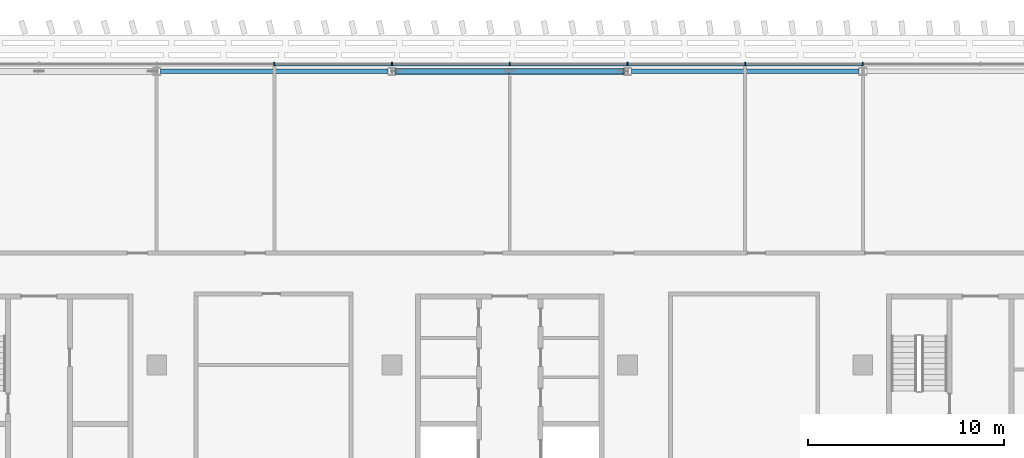
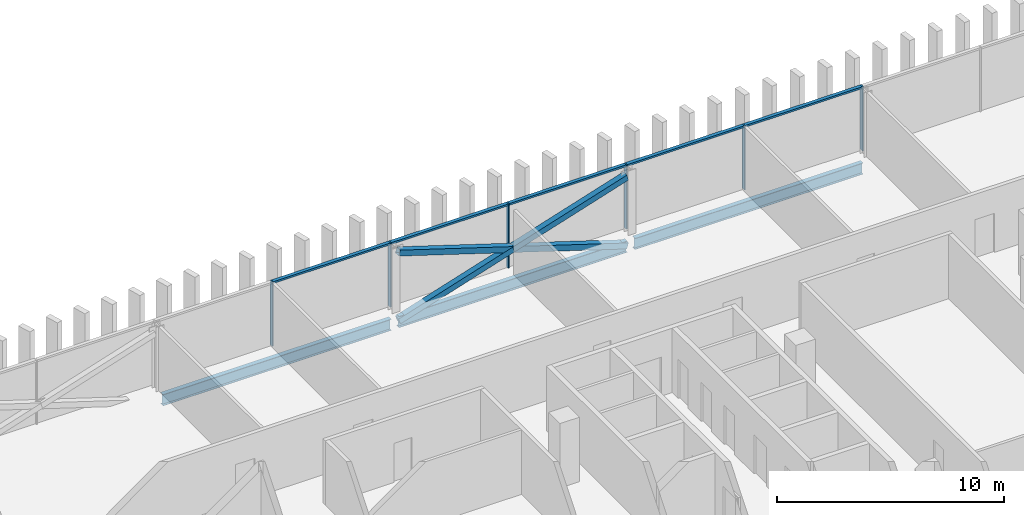
# One storey, part 10 of 35: 14 members, 3 beams, 1 element without a shape of its own.
"""IFC4 building model written with IfcOpenShell, lengths in metres."""

from ifc_helpers import new_model, si_unit, direction, frame, origin, origin_2d, place, context, subcontext, project, spatial, rectangle, hollow_rectangle, i_section, extrude, material, material_profile, profile_set, type_object, element, aggregate, save


model = new_model("IFC4")

# Units and contexts
model_context = context("Model", 3, precision=1e-05, world=origin(), true_north=direction((0.0, 1.0)))
body_context = subcontext(model_context, "Body", "Model", "MODEL_VIEW")
ifc_project = project(units=[si_unit("LENGTHUNIT", "METRE"), si_unit("AREAUNIT", "SQUARE_METRE"), si_unit("VOLUMEUNIT", "CUBIC_METRE"), si_unit("PLANEANGLEUNIT", "RADIAN"), si_unit("MASSUNIT", "GRAM", prefix="KILO")], contexts=[model_context])

# Site, building, storey
site_placement = place(None, origin())
site = spatial("IfcSite", under=ifc_project, at=site_placement, CompositionType="ELEMENT")
building_placement = place(site_placement, origin())
building = spatial("IfcBuilding", under=site, at=building_placement, Name="Mahtab Terrace Research Tower", CompositionType="ELEMENT")
storey_placement = place(building_placement, frame((0.0, 0.0, 251.39990234375)))
storey = spatial("IfcBuildingStorey", under=building, at=storey_placement, Name="L61", CompositionType="ELEMENT", Elevation=251.39990234375)

# Members
ifc_material_1 = material(Name="Steel ASTM A500 Gr C", Category="steel")
ifc_material_profile_1 = material_profile(ifc_material_1, hollow_rectangle(XDim=0.3046875, YDim=0.3046875, WallThickness=0.015869140625, at=origin_2d()), Name="HSS12X12X5/8")
ifc_profile_set_1 = profile_set([ifc_material_profile_1], Name="Steel ASTM A500 Gr C")
member_type_1 = type_object("IfcMemberType", Name="HSS 12x12x5/8 brace XB121258", PredefinedType="BRACE", material=ifc_profile_set_1)
member_1_placement = place(storey_placement, frame((5.800537109375, 26.472900390625, -0.580322265625), z_axis=(-0.953338568311, 0.0, 0.301903252998), x_axis=(0.0, -1.0, 0.0)))
element("IfcMember", 1, at=member_1_placement, inside=storey, type_object=member_type_1, Name="Exoskeleton brace L61 05 a", PredefinedType="BRACE", context=body_context, shape_type="SweptSolid", body=[
    extrude(hollow_rectangle(XDim=0.3046875, YDim=0.3046875, WallThickness=0.015869140625, at=origin_2d()), origin(), (0.0, 0.0, 1.0), 12.1689453125),
])
for number, where, z_axis, x_axis, name in (
    (2, (-5.800537109375, 26.472900390625, -0.580322265625), (0.953338568311, 0.0, 0.301903252998), (0.0, 1.0, 0.0), "Exoskeleton brace L61 05 b1"),
    (3, (0.0, 26.472900390625, 1.256591796875), (0.953338568311, 0.0, 0.301903252998), (0.0, 1.0, 0.0), "Exoskeleton brace L61 05 b2"),
):
    element("IfcMember", number, at=place(storey_placement, frame(where, z_axis=z_axis, x_axis=x_axis)), inside=storey, type_object=member_type_1, Name=name, PredefinedType="BRACE", context=body_context, shape_type="SweptSolid", body=[
        extrude(hollow_rectangle(XDim=0.3046875, YDim=0.3046875, WallThickness=0.015869140625, at=origin_2d()), origin(), (0.0, 0.0, 1.0), 6.08447265625),
    ])

# Curtain wall, members
ifc_material_2 = material(Name="Office ribbon curtain wall")
curtain_wall_type = type_object("IfcCurtainWallType", Name="Office ribbon curtain wall", PredefinedType="NOTDEFINED", material=ifc_material_2)
curtain_wall_placement = place(storey_placement, origin())
curtain_wall = element("IfcCurtainWall", 4, at=curtain_wall_placement, inside=storey, type_object=curtain_wall_type, Name="EN.L61.3.4", PredefinedType="NOTDEFINED")
ifc_material_3 = material(Name="Natural anodised aluminium", Category="aluminium")
ifc_material_profile_2 = material_profile(ifc_material_3, rectangle(XDim=0.179931640625, YDim=0.06005859375, at=origin_2d()), Name="MULLION 60x180")
ifc_profile_set_2 = profile_set([ifc_material_profile_2], Name="Natural anodised aluminium")
member_type_2 = type_object("IfcMemberType", Name="Office ribbon curtain wall mullion", PredefinedType="MULLION", material=ifc_profile_set_2)
member_2_placement = place(storey_placement, frame((18.0, 26.833984375, 0.0), z_axis=(0.0, 0.0, 1.0), x_axis=(0.0, -1.0, 0.0)))
member_2 = element("IfcMember", 5, at=member_2_placement, type_object=member_type_2, Name="CWO-7 mullion 6", PredefinedType="MULLION", context=body_context, shape_type="SweptSolid", body=[
    extrude(rectangle(XDim=0.179931640625, YDim=0.06005859375, at=origin_2d()), origin(), (0.0, 0.0, 1.0), 3.460205078125),
])
member_3_placement = place(storey_placement, frame((12.0, 26.833984375, 0.0), z_axis=(0.0, 0.0, 1.0), x_axis=(0.0, -1.0, 0.0)))
member_3 = element("IfcMember", 6, at=member_3_placement, type_object=member_type_2, Name="CWO-7 mullion 7", PredefinedType="MULLION", context=body_context, shape_type="SweptSolid", body=[
    extrude(rectangle(XDim=0.179931640625, YDim=0.06005859375, at=origin_2d()), origin(), (0.0, 0.0, 1.0), 3.460205078125),
])
member_4_placement = place(storey_placement, frame((6.0, 26.833984375, 0.0), z_axis=(0.0, 0.0, 1.0), x_axis=(0.0, -1.0, 0.0)))
member_4 = element("IfcMember", 7, at=member_4_placement, type_object=member_type_2, Name="CWO-7 mullion 8", PredefinedType="MULLION", context=body_context, shape_type="SweptSolid", body=[
    extrude(rectangle(XDim=0.179931640625, YDim=0.06005859375, at=origin_2d()), origin(), (0.0, 0.0, 1.0), 3.460205078125),
])
member_5_placement = place(storey_placement, frame((0.0, 26.833984375, 0.0), z_axis=(0.0, 0.0, 1.0), x_axis=(0.0, -1.0, 0.0)))
member_5 = element("IfcMember", 8, at=member_5_placement, type_object=member_type_2, Name="CWO-7 mullion 9", PredefinedType="MULLION", context=body_context, shape_type="SweptSolid", body=[
    extrude(rectangle(XDim=0.179931640625, YDim=0.06005859375, at=origin_2d()), origin(), (0.0, 0.0, 1.0), 3.460205078125),
])
member_6_placement = place(storey_placement, frame((-6.0, 26.833984375, 0.0), z_axis=(0.0, 0.0, 1.0), x_axis=(0.0, -1.0, 0.0)))
member_6 = element("IfcMember", 9, at=member_6_placement, type_object=member_type_2, Name="CWO-7 mullion 10", PredefinedType="MULLION", context=body_context, shape_type="SweptSolid", body=[
    extrude(rectangle(XDim=0.179931640625, YDim=0.06005859375, at=origin_2d()), origin(), (0.0, 0.0, 1.0), 3.460205078125),
])
member_7_placement = place(storey_placement, frame((-12.0, 26.833984375, 0.0), z_axis=(0.0, 0.0, 1.0), x_axis=(0.0, -1.0, 0.0)))
member_7 = element("IfcMember", 10, at=member_7_placement, type_object=member_type_2, Name="CWO-7 mullion 11", PredefinedType="MULLION", context=body_context, shape_type="SweptSolid", body=[
    extrude(rectangle(XDim=0.179931640625, YDim=0.06005859375, at=origin_2d()), origin(), (0.0, 0.0, 1.0), 3.460205078125),
])
ifc_material_profile_3 = material_profile(ifc_material_3, rectangle(XDim=0.179931640625, YDim=0.10009765625, at=origin_2d()), Name="TRANSOM 100x180")
ifc_profile_set_3 = profile_set([ifc_material_profile_3], Name="Natural anodised aluminium")
member_type_3 = type_object("IfcMemberType", Name="Office ribbon curtain wall transom", PredefinedType="USERDEFINED", material=ifc_profile_set_3)
member_8_placement = place(storey_placement, frame((17.969970703125, 26.833984375, 3.41015625), z_axis=(-1.0, 0.0, 0.0), x_axis=(0.0, -1.0, 0.0)))
member_8 = element("IfcMember", 11, at=member_8_placement, type_object=member_type_3, Name="CWO-7 transom 6", ObjectType="TRANSOM", PredefinedType="USERDEFINED", context=body_context, shape_type="SweptSolid", body=[
    extrude(rectangle(XDim=0.179931640625, YDim=0.10009765625, at=origin_2d()), origin(), (0.0, 0.0, 1.0), 5.93994140625),
])
member_9_placement = place(storey_placement, frame((11.969970703125, 26.833984375, 3.41015625), z_axis=(-1.0, 0.0, 0.0), x_axis=(0.0, -1.0, 0.0)))
member_9 = element("IfcMember", 12, at=member_9_placement, type_object=member_type_3, Name="CWO-7 transom 7", ObjectType="TRANSOM", PredefinedType="USERDEFINED", context=body_context, shape_type="SweptSolid", body=[
    extrude(rectangle(XDim=0.179931640625, YDim=0.10009765625, at=origin_2d()), origin(), (0.0, 0.0, 1.0), 5.93994140625),
])
member_10_placement = place(storey_placement, frame((5.969970703125, 26.833984375, 3.41015625), z_axis=(-1.0, 0.0, 0.0), x_axis=(0.0, -1.0, 0.0)))
member_10 = element("IfcMember", 13, at=member_10_placement, type_object=member_type_3, Name="CWO-7 transom 8", ObjectType="TRANSOM", PredefinedType="USERDEFINED", context=body_context, shape_type="SweptSolid", body=[
    extrude(rectangle(XDim=0.179931640625, YDim=0.10009765625, at=origin_2d()), origin(), (0.0, 0.0, 1.0), 5.93994140625),
])
member_11_placement = place(storey_placement, frame((-0.030029296875, 26.833984375, 3.41015625), z_axis=(-1.0, 0.0, 0.0), x_axis=(0.0, -1.0, 0.0)))
member_11 = element("IfcMember", 14, at=member_11_placement, type_object=member_type_3, Name="CWO-7 transom 9", ObjectType="TRANSOM", PredefinedType="USERDEFINED", context=body_context, shape_type="SweptSolid", body=[
    extrude(rectangle(XDim=0.179931640625, YDim=0.10009765625, at=origin_2d()), origin(), (0.0, 0.0, 1.0), 5.93994140625),
])
member_12_placement = place(storey_placement, frame((-6.030029296875, 26.833984375, 3.41015625), z_axis=(-1.0, 0.0, 0.0), x_axis=(0.0, -1.0, 0.0)))
member_12 = element("IfcMember", 15, at=member_12_placement, type_object=member_type_3, Name="CWO-7 transom 10", ObjectType="TRANSOM", PredefinedType="USERDEFINED", context=body_context, shape_type="SweptSolid", body=[
    extrude(rectangle(XDim=0.179931640625, YDim=0.10009765625, at=origin_2d()), origin(), (0.0, 0.0, 1.0), 5.93994140625),
])
aggregate(curtain_wall, [member_2, member_3, member_4, member_5, member_6, member_7, member_8, member_9, member_10, member_11, member_12])

# Beams
ifc_material_4 = material(Name="Steel ASTM A992 Gr 50", Category="steel")
ifc_material_profile_4 = material_profile(ifc_material_4, i_section(OverallWidth=0.228271484375, OverallDepth=0.607177734375, WebThickness=0.01123046875, FlangeThickness=0.017333984375, at=origin_2d()), Name="W24X76")
ifc_profile_set_4 = profile_set([ifc_material_profile_4], Name="Steel ASTM A992 Gr 50")
beam_type = type_object("IfcBeamType", Name="W24x76 beam BS2476", PredefinedType="BEAM", material=ifc_profile_set_4)
for number, where, z_axis, x_axis, name in (
    (16, (17.800537109375, 26.472900390625, -0.6435546875), (-1.0, 0.0, 0.0), (0.0, -1.0, 0.0), "Spandrel beam L61 04"),
    (17, (5.800537109375, 26.472900390625, -0.6435546875), (-1.0, 0.0, 0.0), (0.0, -1.0, 0.0), "Spandrel beam L61 05"),
    (18, (-6.199462890625, 26.472900390625, -0.6435546875), (-1.0, 0.0, 0.0), (0.0, -1.0, 0.0), "Spandrel beam L61 06"),
):
    element("IfcBeam", number, at=place(storey_placement, frame(where, z_axis=z_axis, x_axis=x_axis)), inside=storey, type_object=beam_type, Name=name, PredefinedType="BEAM", context=body_context, shape_type="SweptSolid", body=[
        extrude(i_section(OverallWidth=0.228271484375, OverallDepth=0.607177734375, WebThickness=0.01123046875, FlangeThickness=0.017333984375, at=origin_2d()), origin(), (0.0, 0.0, 1.0), 11.60107421875),
    ])

save(model, "model.ifc")
